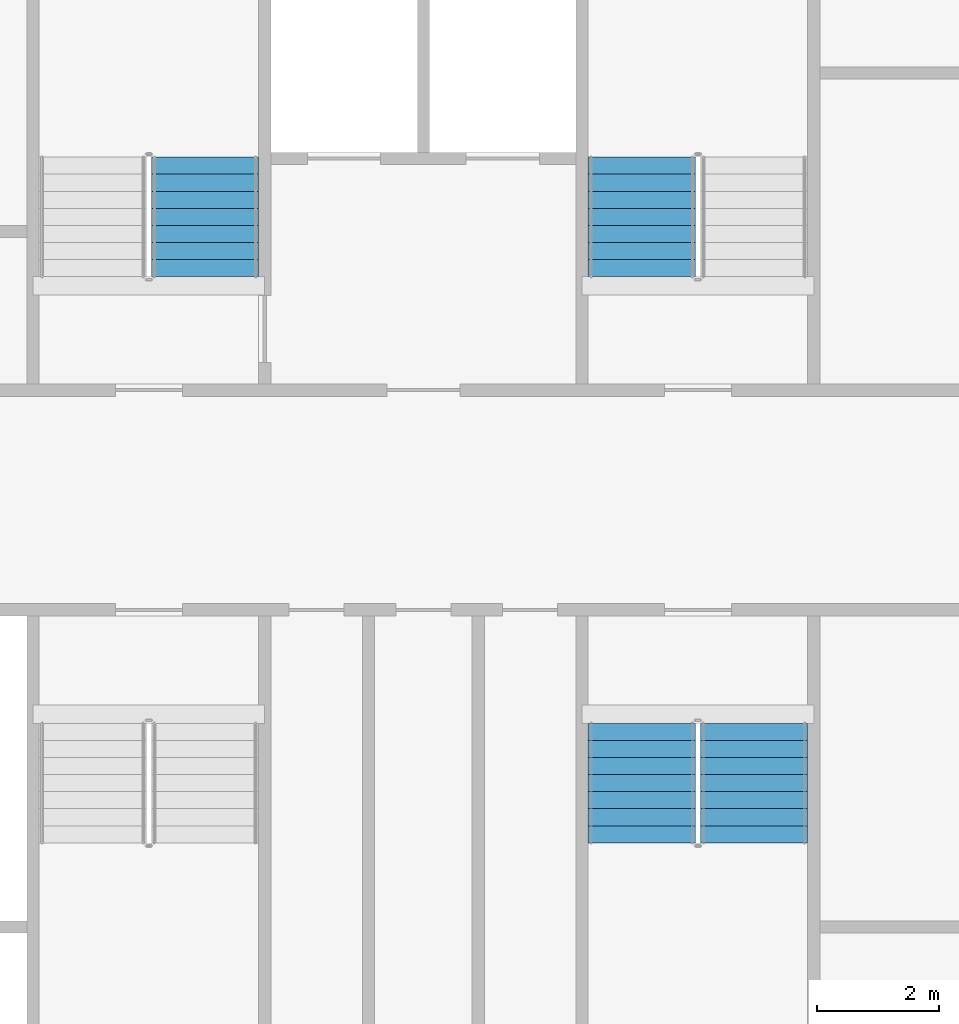
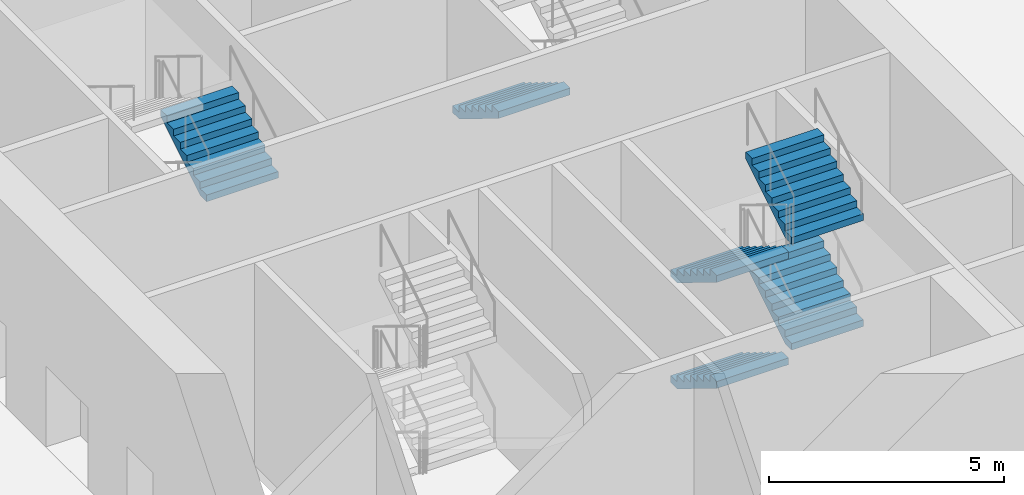
# One storey, part 15 of 23: 6 stair flights, 3 elements without a shape of their own.
"""IFC4 building model written with IfcOpenShell, lengths in metres."""

from ifc_helpers import new_model, si_unit, direction, frame, origin, place, context, subcontext, project, spatial, faceted_brep, material, type_object, element, aggregate, save


model = new_model("IFC4")

# Units and contexts
model_context = context("Model", 3, precision=1e-05, world=origin(), true_north=direction((0.0, 1.0)))
body_context = subcontext(model_context, "Body", "Model", "MODEL_VIEW")
ifc_project = project(units=[si_unit("LENGTHUNIT", "METRE"), si_unit("AREAUNIT", "SQUARE_METRE"), si_unit("VOLUMEUNIT", "CUBIC_METRE"), si_unit("PLANEANGLEUNIT", "RADIAN"), si_unit("MASSUNIT", "GRAM", prefix="KILO")], contexts=[model_context])

# Site, building, storey
site_placement = place(None, origin())
site = spatial("IfcSite", under=ifc_project, at=site_placement, CompositionType="ELEMENT")
building_placement = place(site_placement, origin())
building = spatial("IfcBuilding", under=site, at=building_placement, Name="Tarsis Ring Headquarters", CompositionType="ELEMENT")
storey_placement = place(building_placement, frame((0.0, 0.0, 14.0)))
storey = spatial("IfcBuildingStorey", under=building, at=storey_placement, Name="L02", CompositionType="ELEMENT", Elevation=14.0)

# Stair, stair flight
ifc_material_1 = material(Name="Core stair 1760")
stair_type = type_object("IfcStairType", Name="Core stair 1760", PredefinedType="HALF_TURN_STAIR", material=ifc_material_1)
stair_1_placement = place(storey_placement, origin())
stair_1 = element("IfcStair", 1, at=stair_1_placement, inside=storey, type_object=stair_type, Name="L02 Firefighting stair", PredefinedType="HALF_TURN_STAIR")
ifc_material_2 = material(Name="Concrete C40/50", Category="concrete")
stair_flight_type = type_object("IfcStairFlightType", Name="Core stair flight 1760", PredefinedType="STRAIGHT", material=ifc_material_2)
stair_flight_1_placement = place(storey_placement, frame((-3.580078125, 3.659912109375, 2.75), z_axis=(0.0, 0.0, 1.0), x_axis=(0.0, 1.0, 0.0)))
stair_flight_1 = element("IfcStairFlight", 2, at=stair_flight_1_placement, type_object=stair_flight_type, Name="Stair ST1 flight 3", NumberOfRisers=8, NumberOfTreads=7, PredefinedType="STRAIGHT", RiserHeight=0.171875, TreadLength=0.28, context=body_context, shape_type="Brep", body=[
    faceted_brep([(0.0, 0.8798828125, 0.0), (0.0, 0.8798828125, 0.171875), (0.280029296875, 0.8798828125, 0.171875), (0.280029296875, 0.8798828125, 0.34375), (0.56005859375, 0.8798828125, 0.34375), (0.56005859375, 0.8798828125, 0.515625), (0.840087890625, 0.8798828125, 0.515625), (0.840087890625, 0.8798828125, 0.6875), (1.1201171875, 0.8798828125, 0.6875), (1.1201171875, 0.8798828125, 0.859375), (1.39990234375, 0.8798828125, 0.859375), (1.39990234375, 0.8798828125, 1.03125), (1.679931640625, 0.8798828125, 1.03125), (1.679931640625, 0.8798828125, 1.203125), (1.9599609375, 0.8798828125, 1.203125), (1.9599609375, 0.8798828125, 1.02734375), (0.28662109375, 0.8798828125, 0.0), (0.28662109375, -0.8798828125, 0.0), (1.9599609375, -0.8798828125, 1.02734375), (1.9599609375, -0.8798828125, 1.203125), (1.679931640625, -0.8798828125, 1.203125), (1.679931640625, -0.8798828125, 1.03125), (1.39990234375, -0.8798828125, 1.03125), (1.39990234375, -0.8798828125, 0.859375), (1.1201171875, -0.8798828125, 0.859375), (1.1201171875, -0.8798828125, 0.6875), (0.840087890625, -0.8798828125, 0.6875), (0.840087890625, -0.8798828125, 0.515625), (0.56005859375, -0.8798828125, 0.515625), (0.56005859375, -0.8798828125, 0.34375), (0.280029296875, -0.8798828125, 0.34375), (0.280029296875, -0.8798828125, 0.171875), (0.0, -0.8798828125, 0.171875), (0.0, -0.8798828125, 0.0), (0.0, -0.43994140625, 0.171875), (0.0, -0.43994140625, 0.0), (0.0, 0.0, 0.171875), (0.0, 0.0, 0.0), (0.0, 0.43994140625, 0.171875), (0.0, 0.43994140625, 0.0), (0.280029296875, -0.43994140625, 0.171875), (0.280029296875, 0.0, 0.171875), (0.280029296875, 0.43994140625, 0.171875), (0.280029296875, -0.43994140625, 0.34375), (0.280029296875, 0.0, 0.34375), (0.280029296875, 0.43994140625, 0.34375), (0.56005859375, -0.43994140625, 0.34375), (0.56005859375, 0.0, 0.34375), (0.56005859375, 0.43994140625, 0.34375), (0.56005859375, -0.43994140625, 0.515625), (0.56005859375, 0.0, 0.515625), (0.56005859375, 0.43994140625, 0.515625), (0.840087890625, -0.43994140625, 0.515625), (0.840087890625, 0.0, 0.515625), (0.840087890625, 0.43994140625, 0.515625), (0.840087890625, -0.43994140625, 0.6875), (0.840087890625, 0.0, 0.6875), (0.840087890625, 0.43994140625, 0.6875), (1.1201171875, -0.43994140625, 0.6875), (1.1201171875, 0.0, 0.6875), (1.1201171875, 0.43994140625, 0.6875), (1.1201171875, -0.43994140625, 0.859375), (1.1201171875, 0.0, 0.859375), (1.1201171875, 0.43994140625, 0.859375), (1.39990234375, -0.43994140625, 0.859375), (1.39990234375, 0.0, 0.859375), (1.39990234375, 0.43994140625, 0.859375), (1.39990234375, -0.43994140625, 1.03125), (1.39990234375, 0.0, 1.03125), (1.39990234375, 0.43994140625, 1.03125), (1.679931640625, -0.43994140625, 1.03125), (1.679931640625, 0.0, 1.03125), (1.679931640625, 0.43994140625, 1.03125), (1.679931640625, -0.43994140625, 1.203125), (1.679931640625, 0.0, 1.203125), (1.679931640625, 0.43994140625, 1.203125), (1.9599609375, -0.43994140625, 1.203125), (1.9599609375, 0.0, 1.203125), (1.9599609375, 0.43994140625, 1.203125), (1.9599609375, -0.43994140625, 1.02734375), (1.9599609375, 0.0, 1.02734375), (1.9599609375, 0.43994140625, 1.02734375), (0.28662109375, -0.43994140625, 0.0), (0.28662109375, 0.0, 0.0), (0.28662109375, 0.43994140625, 0.0)], [[[0, 1, 2, 3, 4, 5, 6, 7, 8, 9, 10, 11, 12, 13, 14, 15, 16]], [[17, 18, 19, 20, 21, 22, 23, 24, 25, 26, 27, 28, 29, 30, 31, 32, 33]], [[33, 32, 34, 35]], [[35, 34, 36, 37]], [[37, 36, 38, 39]], [[39, 38, 1, 0]], [[32, 31, 40, 34]], [[34, 40, 41, 36]], [[36, 41, 42, 38]], [[38, 42, 2, 1]], [[31, 30, 43, 40]], [[40, 43, 44, 41]], [[41, 44, 45, 42]], [[42, 45, 3, 2]], [[30, 29, 46, 43]], [[43, 46, 47, 44]], [[44, 47, 48, 45]], [[45, 48, 4, 3]], [[29, 28, 49, 46]], [[46, 49, 50, 47]], [[47, 50, 51, 48]], [[48, 51, 5, 4]], [[28, 27, 52, 49]], [[49, 52, 53, 50]], [[50, 53, 54, 51]], [[51, 54, 6, 5]], [[27, 26, 55, 52]], [[52, 55, 56, 53]], [[53, 56, 57, 54]], [[54, 57, 7, 6]], [[26, 25, 58, 55]], [[55, 58, 59, 56]], [[56, 59, 60, 57]], [[57, 60, 8, 7]], [[25, 24, 61, 58]], [[58, 61, 62, 59]], [[59, 62, 63, 60]], [[60, 63, 9, 8]], [[24, 23, 64, 61]], [[61, 64, 65, 62]], [[62, 65, 66, 63]], [[63, 66, 10, 9]], [[23, 22, 67, 64]], [[64, 67, 68, 65]], [[65, 68, 69, 66]], [[66, 69, 11, 10]], [[22, 21, 70, 67]], [[67, 70, 71, 68]], [[68, 71, 72, 69]], [[69, 72, 12, 11]], [[21, 20, 73, 70]], [[70, 73, 74, 71]], [[71, 74, 75, 72]], [[72, 75, 13, 12]], [[20, 19, 76, 73]], [[73, 76, 77, 74]], [[74, 77, 78, 75]], [[75, 78, 14, 13]], [[19, 18, 79, 76]], [[76, 79, 80, 77]], [[77, 80, 81, 78]], [[78, 81, 15, 14]], [[18, 17, 82, 79]], [[79, 82, 83, 80]], [[80, 83, 84, 81]], [[81, 84, 16, 15]], [[17, 33, 35, 82]], [[82, 35, 37, 83]], [[83, 37, 39, 84]], [[84, 39, 0, 16]]]),
])
aggregate(stair_1, [stair_flight_1])

stair_2_placement = place(storey_placement, origin())
stair_2 = element("IfcStair", 3, at=stair_2_placement, inside=storey, type_object=stair_type, Name="L02 Exit stair B", PredefinedType="HALF_TURN_STAIR")
stair_flight_2_placement = place(storey_placement, frame((3.580078125, 5.6201171875, 1.375), z_axis=(0.0, 0.0, 1.0), x_axis=(0.0, -1.0, 0.0)))
stair_flight_2 = element("IfcStairFlight", 4, at=stair_flight_2_placement, type_object=stair_flight_type, Name="Stair ST2 flight 2", NumberOfRisers=8, NumberOfTreads=7, PredefinedType="STRAIGHT", RiserHeight=0.171875, TreadLength=0.28, context=body_context, shape_type="Brep", body=[
    faceted_brep([(0.0, 0.8798828125, 0.0), (0.0, 0.8798828125, 0.171875), (0.280029296875, 0.8798828125, 0.171875), (0.280029296875, 0.8798828125, 0.34375), (0.56005859375, 0.8798828125, 0.34375), (0.56005859375, 0.8798828125, 0.515625), (0.840087890625, 0.8798828125, 0.515625), (0.840087890625, 0.8798828125, 0.6875), (1.1201171875, 0.8798828125, 0.6875), (1.1201171875, 0.8798828125, 0.859375), (1.39990234375, 0.8798828125, 0.859375), (1.39990234375, 0.8798828125, 1.03125), (1.679931640625, 0.8798828125, 1.03125), (1.679931640625, 0.8798828125, 1.203125), (1.9599609375, 0.8798828125, 1.203125), (1.9599609375, 0.8798828125, 1.02734375), (0.28662109375, 0.8798828125, 0.0), (0.28662109375, -0.8798828125, 0.0), (1.9599609375, -0.8798828125, 1.02734375), (1.9599609375, -0.8798828125, 1.203125), (1.679931640625, -0.8798828125, 1.203125), (1.679931640625, -0.8798828125, 1.03125), (1.39990234375, -0.8798828125, 1.03125), (1.39990234375, -0.8798828125, 0.859375), (1.1201171875, -0.8798828125, 0.859375), (1.1201171875, -0.8798828125, 0.6875), (0.840087890625, -0.8798828125, 0.6875), (0.840087890625, -0.8798828125, 0.515625), (0.56005859375, -0.8798828125, 0.515625), (0.56005859375, -0.8798828125, 0.34375), (0.280029296875, -0.8798828125, 0.34375), (0.280029296875, -0.8798828125, 0.171875), (0.0, -0.8798828125, 0.171875), (0.0, -0.8798828125, 0.0), (0.0, -0.43994140625, 0.171875), (0.0, -0.43994140625, 0.0), (0.0, 0.0, 0.171875), (0.0, 0.0, 0.0), (0.0, 0.43994140625, 0.171875), (0.0, 0.43994140625, 0.0), (0.280029296875, -0.43994140625, 0.171875), (0.280029296875, 0.0, 0.171875), (0.280029296875, 0.43994140625, 0.171875), (0.280029296875, -0.43994140625, 0.34375), (0.280029296875, 0.0, 0.34375), (0.280029296875, 0.43994140625, 0.34375), (0.56005859375, -0.43994140625, 0.34375), (0.56005859375, 0.0, 0.34375), (0.56005859375, 0.43994140625, 0.34375), (0.56005859375, -0.43994140625, 0.515625), (0.56005859375, 0.0, 0.515625), (0.56005859375, 0.43994140625, 0.515625), (0.840087890625, -0.43994140625, 0.515625), (0.840087890625, 0.0, 0.515625), (0.840087890625, 0.43994140625, 0.515625), (0.840087890625, -0.43994140625, 0.6875), (0.840087890625, 0.0, 0.6875), (0.840087890625, 0.43994140625, 0.6875), (1.1201171875, -0.43994140625, 0.6875), (1.1201171875, 0.0, 0.6875), (1.1201171875, 0.43994140625, 0.6875), (1.1201171875, -0.43994140625, 0.859375), (1.1201171875, 0.0, 0.859375), (1.1201171875, 0.43994140625, 0.859375), (1.39990234375, -0.43994140625, 0.859375), (1.39990234375, 0.0, 0.859375), (1.39990234375, 0.43994140625, 0.859375), (1.39990234375, -0.43994140625, 1.03125), (1.39990234375, 0.0, 1.03125), (1.39990234375, 0.43994140625, 1.03125), (1.679931640625, -0.43994140625, 1.03125), (1.679931640625, 0.0, 1.03125), (1.679931640625, 0.43994140625, 1.03125), (1.679931640625, -0.43994140625, 1.203125), (1.679931640625, 0.0, 1.203125), (1.679931640625, 0.43994140625, 1.203125), (1.9599609375, -0.43994140625, 1.203125), (1.9599609375, 0.0, 1.203125), (1.9599609375, 0.43994140625, 1.203125), (1.9599609375, -0.43994140625, 1.02734375), (1.9599609375, 0.0, 1.02734375), (1.9599609375, 0.43994140625, 1.02734375), (0.28662109375, -0.43994140625, 0.0), (0.28662109375, 0.0, 0.0), (0.28662109375, 0.43994140625, 0.0)], [[[0, 1, 2, 3, 4, 5, 6, 7, 8, 9, 10, 11, 12, 13, 14, 15, 16]], [[17, 18, 19, 20, 21, 22, 23, 24, 25, 26, 27, 28, 29, 30, 31, 32, 33]], [[33, 32, 34, 35]], [[35, 34, 36, 37]], [[37, 36, 38, 39]], [[39, 38, 1, 0]], [[32, 31, 40, 34]], [[34, 40, 41, 36]], [[36, 41, 42, 38]], [[38, 42, 2, 1]], [[31, 30, 43, 40]], [[40, 43, 44, 41]], [[41, 44, 45, 42]], [[42, 45, 3, 2]], [[30, 29, 46, 43]], [[43, 46, 47, 44]], [[44, 47, 48, 45]], [[45, 48, 4, 3]], [[29, 28, 49, 46]], [[46, 49, 50, 47]], [[47, 50, 51, 48]], [[48, 51, 5, 4]], [[28, 27, 52, 49]], [[49, 52, 53, 50]], [[50, 53, 54, 51]], [[51, 54, 6, 5]], [[27, 26, 55, 52]], [[52, 55, 56, 53]], [[53, 56, 57, 54]], [[54, 57, 7, 6]], [[26, 25, 58, 55]], [[55, 58, 59, 56]], [[56, 59, 60, 57]], [[57, 60, 8, 7]], [[25, 24, 61, 58]], [[58, 61, 62, 59]], [[59, 62, 63, 60]], [[60, 63, 9, 8]], [[24, 23, 64, 61]], [[61, 64, 65, 62]], [[62, 65, 66, 63]], [[63, 66, 10, 9]], [[23, 22, 67, 64]], [[64, 67, 68, 65]], [[65, 68, 69, 66]], [[66, 69, 11, 10]], [[22, 21, 70, 67]], [[67, 70, 71, 68]], [[68, 71, 72, 69]], [[69, 72, 12, 11]], [[21, 20, 73, 70]], [[70, 73, 74, 71]], [[71, 74, 75, 72]], [[72, 75, 13, 12]], [[20, 19, 76, 73]], [[73, 76, 77, 74]], [[74, 77, 78, 75]], [[75, 78, 14, 13]], [[19, 18, 79, 76]], [[76, 79, 80, 77]], [[77, 80, 81, 78]], [[78, 81, 15, 14]], [[18, 17, 82, 79]], [[79, 82, 83, 80]], [[80, 83, 84, 81]], [[81, 84, 16, 15]], [[17, 33, 35, 82]], [[82, 35, 37, 83]], [[83, 37, 39, 84]], [[84, 39, 0, 16]]]),
])
aggregate(stair_2, [stair_flight_2])

# Stair, stair flights
stair_3_placement = place(storey_placement, origin())
stair_3 = element("IfcStair", 5, at=stair_3_placement, inside=storey, type_object=stair_type, Name="L02 Exit stair D", PredefinedType="HALF_TURN_STAIR")
stair_flight_3_placement = place(storey_placement, frame((3.580078125, -3.659912109375, 0.0), z_axis=(0.0, 0.0, 1.0), x_axis=(0.0, -1.0, 0.0)))
stair_flight_3 = element("IfcStairFlight", 6, at=stair_flight_3_placement, type_object=stair_flight_type, Name="Stair ST4 flight 1", NumberOfRisers=8, NumberOfTreads=7, PredefinedType="STRAIGHT", RiserHeight=0.171875, TreadLength=0.28, context=body_context, shape_type="Brep", body=[
    faceted_brep([(0.0, 0.8798828125, 0.0), (0.0, 0.8798828125, 0.171875), (0.280029296875, 0.8798828125, 0.171875), (0.280029296875, 0.8798828125, 0.34375), (0.56005859375, 0.8798828125, 0.34375), (0.56005859375, 0.8798828125, 0.515625), (0.840087890625, 0.8798828125, 0.515625), (0.840087890625, 0.8798828125, 0.6875), (1.1201171875, 0.8798828125, 0.6875), (1.1201171875, 0.8798828125, 0.859375), (1.39990234375, 0.8798828125, 0.859375), (1.39990234375, 0.8798828125, 1.03125), (1.679931640625, 0.8798828125, 1.03125), (1.679931640625, 0.8798828125, 1.203125), (1.9599609375, 0.8798828125, 1.203125), (1.9599609375, 0.8798828125, 1.02734375), (0.28662109375, 0.8798828125, 0.0), (0.28662109375, -0.8798828125, 0.0), (1.9599609375, -0.8798828125, 1.02734375), (1.9599609375, -0.8798828125, 1.203125), (1.679931640625, -0.8798828125, 1.203125), (1.679931640625, -0.8798828125, 1.03125), (1.39990234375, -0.8798828125, 1.03125), (1.39990234375, -0.8798828125, 0.859375), (1.1201171875, -0.8798828125, 0.859375), (1.1201171875, -0.8798828125, 0.6875), (0.840087890625, -0.8798828125, 0.6875), (0.840087890625, -0.8798828125, 0.515625), (0.56005859375, -0.8798828125, 0.515625), (0.56005859375, -0.8798828125, 0.34375), (0.280029296875, -0.8798828125, 0.34375), (0.280029296875, -0.8798828125, 0.171875), (0.0, -0.8798828125, 0.171875), (0.0, -0.8798828125, 0.0), (0.0, -0.43994140625, 0.171875), (0.0, -0.43994140625, 0.0), (0.0, 0.0, 0.171875), (0.0, 0.0, 0.0), (0.0, 0.43994140625, 0.171875), (0.0, 0.43994140625, 0.0), (0.280029296875, -0.43994140625, 0.171875), (0.280029296875, 0.0, 0.171875), (0.280029296875, 0.43994140625, 0.171875), (0.280029296875, -0.43994140625, 0.34375), (0.280029296875, 0.0, 0.34375), (0.280029296875, 0.43994140625, 0.34375), (0.56005859375, -0.43994140625, 0.34375), (0.56005859375, 0.0, 0.34375), (0.56005859375, 0.43994140625, 0.34375), (0.56005859375, -0.43994140625, 0.515625), (0.56005859375, 0.0, 0.515625), (0.56005859375, 0.43994140625, 0.515625), (0.840087890625, -0.43994140625, 0.515625), (0.840087890625, 0.0, 0.515625), (0.840087890625, 0.43994140625, 0.515625), (0.840087890625, -0.43994140625, 0.6875), (0.840087890625, 0.0, 0.6875), (0.840087890625, 0.43994140625, 0.6875), (1.1201171875, -0.43994140625, 0.6875), (1.1201171875, 0.0, 0.6875), (1.1201171875, 0.43994140625, 0.6875), (1.1201171875, -0.43994140625, 0.859375), (1.1201171875, 0.0, 0.859375), (1.1201171875, 0.43994140625, 0.859375), (1.39990234375, -0.43994140625, 0.859375), (1.39990234375, 0.0, 0.859375), (1.39990234375, 0.43994140625, 0.859375), (1.39990234375, -0.43994140625, 1.03125), (1.39990234375, 0.0, 1.03125), (1.39990234375, 0.43994140625, 1.03125), (1.679931640625, -0.43994140625, 1.03125), (1.679931640625, 0.0, 1.03125), (1.679931640625, 0.43994140625, 1.03125), (1.679931640625, -0.43994140625, 1.203125), (1.679931640625, 0.0, 1.203125), (1.679931640625, 0.43994140625, 1.203125), (1.9599609375, -0.43994140625, 1.203125), (1.9599609375, 0.0, 1.203125), (1.9599609375, 0.43994140625, 1.203125), (1.9599609375, -0.43994140625, 1.02734375), (1.9599609375, 0.0, 1.02734375), (1.9599609375, 0.43994140625, 1.02734375), (0.28662109375, -0.43994140625, 0.0), (0.28662109375, 0.0, 0.0), (0.28662109375, 0.43994140625, 0.0)], [[[0, 1, 2, 3, 4, 5, 6, 7, 8, 9, 10, 11, 12, 13, 14, 15, 16]], [[17, 18, 19, 20, 21, 22, 23, 24, 25, 26, 27, 28, 29, 30, 31, 32, 33]], [[33, 32, 34, 35]], [[35, 34, 36, 37]], [[37, 36, 38, 39]], [[39, 38, 1, 0]], [[32, 31, 40, 34]], [[34, 40, 41, 36]], [[36, 41, 42, 38]], [[38, 42, 2, 1]], [[31, 30, 43, 40]], [[40, 43, 44, 41]], [[41, 44, 45, 42]], [[42, 45, 3, 2]], [[30, 29, 46, 43]], [[43, 46, 47, 44]], [[44, 47, 48, 45]], [[45, 48, 4, 3]], [[29, 28, 49, 46]], [[46, 49, 50, 47]], [[47, 50, 51, 48]], [[48, 51, 5, 4]], [[28, 27, 52, 49]], [[49, 52, 53, 50]], [[50, 53, 54, 51]], [[51, 54, 6, 5]], [[27, 26, 55, 52]], [[52, 55, 56, 53]], [[53, 56, 57, 54]], [[54, 57, 7, 6]], [[26, 25, 58, 55]], [[55, 58, 59, 56]], [[56, 59, 60, 57]], [[57, 60, 8, 7]], [[25, 24, 61, 58]], [[58, 61, 62, 59]], [[59, 62, 63, 60]], [[60, 63, 9, 8]], [[24, 23, 64, 61]], [[61, 64, 65, 62]], [[62, 65, 66, 63]], [[63, 66, 10, 9]], [[23, 22, 67, 64]], [[64, 67, 68, 65]], [[65, 68, 69, 66]], [[66, 69, 11, 10]], [[22, 21, 70, 67]], [[67, 70, 71, 68]], [[68, 71, 72, 69]], [[69, 72, 12, 11]], [[21, 20, 73, 70]], [[70, 73, 74, 71]], [[71, 74, 75, 72]], [[72, 75, 13, 12]], [[20, 19, 76, 73]], [[73, 76, 77, 74]], [[74, 77, 78, 75]], [[75, 78, 14, 13]], [[19, 18, 79, 76]], [[76, 79, 80, 77]], [[77, 80, 81, 78]], [[78, 81, 15, 14]], [[18, 17, 82, 79]], [[79, 82, 83, 80]], [[80, 83, 84, 81]], [[81, 84, 16, 15]], [[17, 33, 35, 82]], [[82, 35, 37, 83]], [[83, 37, 39, 84]], [[84, 39, 0, 16]]]),
])
stair_flight_4_placement = place(storey_placement, frame((5.419921875, -5.6201171875, 1.375), z_axis=(0.0, 0.0, 1.0), x_axis=(0.0, 1.0, 0.0)))
stair_flight_4 = element("IfcStairFlight", 7, at=stair_flight_4_placement, type_object=stair_flight_type, Name="Stair ST4 flight 2", NumberOfRisers=8, NumberOfTreads=7, PredefinedType="STRAIGHT", RiserHeight=0.171875, TreadLength=0.28, context=body_context, shape_type="Brep", body=[
    faceted_brep([(0.0, 0.8798828125, 0.0), (0.0, 0.8798828125, 0.171875), (0.280029296875, 0.8798828125, 0.171875), (0.280029296875, 0.8798828125, 0.34375), (0.56005859375, 0.8798828125, 0.34375), (0.56005859375, 0.8798828125, 0.515625), (0.840087890625, 0.8798828125, 0.515625), (0.840087890625, 0.8798828125, 0.6875), (1.1201171875, 0.8798828125, 0.6875), (1.1201171875, 0.8798828125, 0.859375), (1.39990234375, 0.8798828125, 0.859375), (1.39990234375, 0.8798828125, 1.03125), (1.679931640625, 0.8798828125, 1.03125), (1.679931640625, 0.8798828125, 1.203125), (1.9599609375, 0.8798828125, 1.203125), (1.9599609375, 0.8798828125, 1.02734375), (0.28662109375, 0.8798828125, 0.0), (0.28662109375, -0.8798828125, 0.0), (1.9599609375, -0.8798828125, 1.02734375), (1.9599609375, -0.8798828125, 1.203125), (1.679931640625, -0.8798828125, 1.203125), (1.679931640625, -0.8798828125, 1.03125), (1.39990234375, -0.8798828125, 1.03125), (1.39990234375, -0.8798828125, 0.859375), (1.1201171875, -0.8798828125, 0.859375), (1.1201171875, -0.8798828125, 0.6875), (0.840087890625, -0.8798828125, 0.6875), (0.840087890625, -0.8798828125, 0.515625), (0.56005859375, -0.8798828125, 0.515625), (0.56005859375, -0.8798828125, 0.34375), (0.280029296875, -0.8798828125, 0.34375), (0.280029296875, -0.8798828125, 0.171875), (0.0, -0.8798828125, 0.171875), (0.0, -0.8798828125, 0.0), (0.0, -0.43994140625, 0.171875), (0.0, -0.43994140625, 0.0), (0.0, 0.0, 0.171875), (0.0, 0.0, 0.0), (0.0, 0.43994140625, 0.171875), (0.0, 0.43994140625, 0.0), (0.280029296875, -0.43994140625, 0.171875), (0.280029296875, 0.0, 0.171875), (0.280029296875, 0.43994140625, 0.171875), (0.280029296875, -0.43994140625, 0.34375), (0.280029296875, 0.0, 0.34375), (0.280029296875, 0.43994140625, 0.34375), (0.56005859375, -0.43994140625, 0.34375), (0.56005859375, 0.0, 0.34375), (0.56005859375, 0.43994140625, 0.34375), (0.56005859375, -0.43994140625, 0.515625), (0.56005859375, 0.0, 0.515625), (0.56005859375, 0.43994140625, 0.515625), (0.840087890625, -0.43994140625, 0.515625), (0.840087890625, 0.0, 0.515625), (0.840087890625, 0.43994140625, 0.515625), (0.840087890625, -0.43994140625, 0.6875), (0.840087890625, 0.0, 0.6875), (0.840087890625, 0.43994140625, 0.6875), (1.1201171875, -0.43994140625, 0.6875), (1.1201171875, 0.0, 0.6875), (1.1201171875, 0.43994140625, 0.6875), (1.1201171875, -0.43994140625, 0.859375), (1.1201171875, 0.0, 0.859375), (1.1201171875, 0.43994140625, 0.859375), (1.39990234375, -0.43994140625, 0.859375), (1.39990234375, 0.0, 0.859375), (1.39990234375, 0.43994140625, 0.859375), (1.39990234375, -0.43994140625, 1.03125), (1.39990234375, 0.0, 1.03125), (1.39990234375, 0.43994140625, 1.03125), (1.679931640625, -0.43994140625, 1.03125), (1.679931640625, 0.0, 1.03125), (1.679931640625, 0.43994140625, 1.03125), (1.679931640625, -0.43994140625, 1.203125), (1.679931640625, 0.0, 1.203125), (1.679931640625, 0.43994140625, 1.203125), (1.9599609375, -0.43994140625, 1.203125), (1.9599609375, 0.0, 1.203125), (1.9599609375, 0.43994140625, 1.203125), (1.9599609375, -0.43994140625, 1.02734375), (1.9599609375, 0.0, 1.02734375), (1.9599609375, 0.43994140625, 1.02734375), (0.28662109375, -0.43994140625, 0.0), (0.28662109375, 0.0, 0.0), (0.28662109375, 0.43994140625, 0.0)], [[[0, 1, 2, 3, 4, 5, 6, 7, 8, 9, 10, 11, 12, 13, 14, 15, 16]], [[17, 18, 19, 20, 21, 22, 23, 24, 25, 26, 27, 28, 29, 30, 31, 32, 33]], [[33, 32, 34, 35]], [[35, 34, 36, 37]], [[37, 36, 38, 39]], [[39, 38, 1, 0]], [[32, 31, 40, 34]], [[34, 40, 41, 36]], [[36, 41, 42, 38]], [[38, 42, 2, 1]], [[31, 30, 43, 40]], [[40, 43, 44, 41]], [[41, 44, 45, 42]], [[42, 45, 3, 2]], [[30, 29, 46, 43]], [[43, 46, 47, 44]], [[44, 47, 48, 45]], [[45, 48, 4, 3]], [[29, 28, 49, 46]], [[46, 49, 50, 47]], [[47, 50, 51, 48]], [[48, 51, 5, 4]], [[28, 27, 52, 49]], [[49, 52, 53, 50]], [[50, 53, 54, 51]], [[51, 54, 6, 5]], [[27, 26, 55, 52]], [[52, 55, 56, 53]], [[53, 56, 57, 54]], [[54, 57, 7, 6]], [[26, 25, 58, 55]], [[55, 58, 59, 56]], [[56, 59, 60, 57]], [[57, 60, 8, 7]], [[25, 24, 61, 58]], [[58, 61, 62, 59]], [[59, 62, 63, 60]], [[60, 63, 9, 8]], [[24, 23, 64, 61]], [[61, 64, 65, 62]], [[62, 65, 66, 63]], [[63, 66, 10, 9]], [[23, 22, 67, 64]], [[64, 67, 68, 65]], [[65, 68, 69, 66]], [[66, 69, 11, 10]], [[22, 21, 70, 67]], [[67, 70, 71, 68]], [[68, 71, 72, 69]], [[69, 72, 12, 11]], [[21, 20, 73, 70]], [[70, 73, 74, 71]], [[71, 74, 75, 72]], [[72, 75, 13, 12]], [[20, 19, 76, 73]], [[73, 76, 77, 74]], [[74, 77, 78, 75]], [[75, 78, 14, 13]], [[19, 18, 79, 76]], [[76, 79, 80, 77]], [[77, 80, 81, 78]], [[78, 81, 15, 14]], [[18, 17, 82, 79]], [[79, 82, 83, 80]], [[80, 83, 84, 81]], [[81, 84, 16, 15]], [[17, 33, 35, 82]], [[82, 35, 37, 83]], [[83, 37, 39, 84]], [[84, 39, 0, 16]]]),
])
stair_flight_5_placement = place(storey_placement, frame((3.580078125, -3.659912109375, 2.75), z_axis=(0.0, 0.0, 1.0), x_axis=(0.0, -1.0, 0.0)))
stair_flight_5 = element("IfcStairFlight", 8, at=stair_flight_5_placement, type_object=stair_flight_type, Name="Stair ST4 flight 3", NumberOfRisers=8, NumberOfTreads=7, PredefinedType="STRAIGHT", RiserHeight=0.171875, TreadLength=0.28, context=body_context, shape_type="Brep", body=[
    faceted_brep([(0.0, 0.8798828125, 0.0), (0.0, 0.8798828125, 0.171875), (0.280029296875, 0.8798828125, 0.171875), (0.280029296875, 0.8798828125, 0.34375), (0.56005859375, 0.8798828125, 0.34375), (0.56005859375, 0.8798828125, 0.515625), (0.840087890625, 0.8798828125, 0.515625), (0.840087890625, 0.8798828125, 0.6875), (1.1201171875, 0.8798828125, 0.6875), (1.1201171875, 0.8798828125, 0.859375), (1.39990234375, 0.8798828125, 0.859375), (1.39990234375, 0.8798828125, 1.03125), (1.679931640625, 0.8798828125, 1.03125), (1.679931640625, 0.8798828125, 1.203125), (1.9599609375, 0.8798828125, 1.203125), (1.9599609375, 0.8798828125, 1.02734375), (0.28662109375, 0.8798828125, 0.0), (0.28662109375, -0.8798828125, 0.0), (1.9599609375, -0.8798828125, 1.02734375), (1.9599609375, -0.8798828125, 1.203125), (1.679931640625, -0.8798828125, 1.203125), (1.679931640625, -0.8798828125, 1.03125), (1.39990234375, -0.8798828125, 1.03125), (1.39990234375, -0.8798828125, 0.859375), (1.1201171875, -0.8798828125, 0.859375), (1.1201171875, -0.8798828125, 0.6875), (0.840087890625, -0.8798828125, 0.6875), (0.840087890625, -0.8798828125, 0.515625), (0.56005859375, -0.8798828125, 0.515625), (0.56005859375, -0.8798828125, 0.34375), (0.280029296875, -0.8798828125, 0.34375), (0.280029296875, -0.8798828125, 0.171875), (0.0, -0.8798828125, 0.171875), (0.0, -0.8798828125, 0.0), (0.0, -0.43994140625, 0.171875), (0.0, -0.43994140625, 0.0), (0.0, 0.0, 0.171875), (0.0, 0.0, 0.0), (0.0, 0.43994140625, 0.171875), (0.0, 0.43994140625, 0.0), (0.280029296875, -0.43994140625, 0.171875), (0.280029296875, 0.0, 0.171875), (0.280029296875, 0.43994140625, 0.171875), (0.280029296875, -0.43994140625, 0.34375), (0.280029296875, 0.0, 0.34375), (0.280029296875, 0.43994140625, 0.34375), (0.56005859375, -0.43994140625, 0.34375), (0.56005859375, 0.0, 0.34375), (0.56005859375, 0.43994140625, 0.34375), (0.56005859375, -0.43994140625, 0.515625), (0.56005859375, 0.0, 0.515625), (0.56005859375, 0.43994140625, 0.515625), (0.840087890625, -0.43994140625, 0.515625), (0.840087890625, 0.0, 0.515625), (0.840087890625, 0.43994140625, 0.515625), (0.840087890625, -0.43994140625, 0.6875), (0.840087890625, 0.0, 0.6875), (0.840087890625, 0.43994140625, 0.6875), (1.1201171875, -0.43994140625, 0.6875), (1.1201171875, 0.0, 0.6875), (1.1201171875, 0.43994140625, 0.6875), (1.1201171875, -0.43994140625, 0.859375), (1.1201171875, 0.0, 0.859375), (1.1201171875, 0.43994140625, 0.859375), (1.39990234375, -0.43994140625, 0.859375), (1.39990234375, 0.0, 0.859375), (1.39990234375, 0.43994140625, 0.859375), (1.39990234375, -0.43994140625, 1.03125), (1.39990234375, 0.0, 1.03125), (1.39990234375, 0.43994140625, 1.03125), (1.679931640625, -0.43994140625, 1.03125), (1.679931640625, 0.0, 1.03125), (1.679931640625, 0.43994140625, 1.03125), (1.679931640625, -0.43994140625, 1.203125), (1.679931640625, 0.0, 1.203125), (1.679931640625, 0.43994140625, 1.203125), (1.9599609375, -0.43994140625, 1.203125), (1.9599609375, 0.0, 1.203125), (1.9599609375, 0.43994140625, 1.203125), (1.9599609375, -0.43994140625, 1.02734375), (1.9599609375, 0.0, 1.02734375), (1.9599609375, 0.43994140625, 1.02734375), (0.28662109375, -0.43994140625, 0.0), (0.28662109375, 0.0, 0.0), (0.28662109375, 0.43994140625, 0.0)], [[[0, 1, 2, 3, 4, 5, 6, 7, 8, 9, 10, 11, 12, 13, 14, 15, 16]], [[17, 18, 19, 20, 21, 22, 23, 24, 25, 26, 27, 28, 29, 30, 31, 32, 33]], [[33, 32, 34, 35]], [[35, 34, 36, 37]], [[37, 36, 38, 39]], [[39, 38, 1, 0]], [[32, 31, 40, 34]], [[34, 40, 41, 36]], [[36, 41, 42, 38]], [[38, 42, 2, 1]], [[31, 30, 43, 40]], [[40, 43, 44, 41]], [[41, 44, 45, 42]], [[42, 45, 3, 2]], [[30, 29, 46, 43]], [[43, 46, 47, 44]], [[44, 47, 48, 45]], [[45, 48, 4, 3]], [[29, 28, 49, 46]], [[46, 49, 50, 47]], [[47, 50, 51, 48]], [[48, 51, 5, 4]], [[28, 27, 52, 49]], [[49, 52, 53, 50]], [[50, 53, 54, 51]], [[51, 54, 6, 5]], [[27, 26, 55, 52]], [[52, 55, 56, 53]], [[53, 56, 57, 54]], [[54, 57, 7, 6]], [[26, 25, 58, 55]], [[55, 58, 59, 56]], [[56, 59, 60, 57]], [[57, 60, 8, 7]], [[25, 24, 61, 58]], [[58, 61, 62, 59]], [[59, 62, 63, 60]], [[60, 63, 9, 8]], [[24, 23, 64, 61]], [[61, 64, 65, 62]], [[62, 65, 66, 63]], [[63, 66, 10, 9]], [[23, 22, 67, 64]], [[64, 67, 68, 65]], [[65, 68, 69, 66]], [[66, 69, 11, 10]], [[22, 21, 70, 67]], [[67, 70, 71, 68]], [[68, 71, 72, 69]], [[69, 72, 12, 11]], [[21, 20, 73, 70]], [[70, 73, 74, 71]], [[71, 74, 75, 72]], [[72, 75, 13, 12]], [[20, 19, 76, 73]], [[73, 76, 77, 74]], [[74, 77, 78, 75]], [[75, 78, 14, 13]], [[19, 18, 79, 76]], [[76, 79, 80, 77]], [[77, 80, 81, 78]], [[78, 81, 15, 14]], [[18, 17, 82, 79]], [[79, 82, 83, 80]], [[80, 83, 84, 81]], [[81, 84, 16, 15]], [[17, 33, 35, 82]], [[82, 35, 37, 83]], [[83, 37, 39, 84]], [[84, 39, 0, 16]]]),
])
stair_flight_6_placement = place(storey_placement, frame((5.419921875, -5.6201171875, 4.125), z_axis=(0.0, 0.0, 1.0), x_axis=(0.0, 1.0, 0.0)))
stair_flight_6 = element("IfcStairFlight", 9, at=stair_flight_6_placement, type_object=stair_flight_type, Name="Stair ST4 flight 4", NumberOfRisers=8, NumberOfTreads=7, PredefinedType="STRAIGHT", RiserHeight=0.171875, TreadLength=0.28, context=body_context, shape_type="Brep", body=[
    faceted_brep([(0.0, 0.8798828125, 0.0), (0.0, 0.8798828125, 0.171875), (0.280029296875, 0.8798828125, 0.171875), (0.280029296875, 0.8798828125, 0.34375), (0.56005859375, 0.8798828125, 0.34375), (0.56005859375, 0.8798828125, 0.515625), (0.840087890625, 0.8798828125, 0.515625), (0.840087890625, 0.8798828125, 0.6875), (1.1201171875, 0.8798828125, 0.6875), (1.1201171875, 0.8798828125, 0.859375), (1.39990234375, 0.8798828125, 0.859375), (1.39990234375, 0.8798828125, 1.03125), (1.679931640625, 0.8798828125, 1.03125), (1.679931640625, 0.8798828125, 1.203125), (1.9599609375, 0.8798828125, 1.203125), (1.9599609375, 0.8798828125, 1.02734375), (0.28662109375, 0.8798828125, 0.0), (0.28662109375, -0.8798828125, 0.0), (1.9599609375, -0.8798828125, 1.02734375), (1.9599609375, -0.8798828125, 1.203125), (1.679931640625, -0.8798828125, 1.203125), (1.679931640625, -0.8798828125, 1.03125), (1.39990234375, -0.8798828125, 1.03125), (1.39990234375, -0.8798828125, 0.859375), (1.1201171875, -0.8798828125, 0.859375), (1.1201171875, -0.8798828125, 0.6875), (0.840087890625, -0.8798828125, 0.6875), (0.840087890625, -0.8798828125, 0.515625), (0.56005859375, -0.8798828125, 0.515625), (0.56005859375, -0.8798828125, 0.34375), (0.280029296875, -0.8798828125, 0.34375), (0.280029296875, -0.8798828125, 0.171875), (0.0, -0.8798828125, 0.171875), (0.0, -0.8798828125, 0.0), (0.0, -0.43994140625, 0.171875), (0.0, -0.43994140625, 0.0), (0.0, 0.0, 0.171875), (0.0, 0.0, 0.0), (0.0, 0.43994140625, 0.171875), (0.0, 0.43994140625, 0.0), (0.280029296875, -0.43994140625, 0.171875), (0.280029296875, 0.0, 0.171875), (0.280029296875, 0.43994140625, 0.171875), (0.280029296875, -0.43994140625, 0.34375), (0.280029296875, 0.0, 0.34375), (0.280029296875, 0.43994140625, 0.34375), (0.56005859375, -0.43994140625, 0.34375), (0.56005859375, 0.0, 0.34375), (0.56005859375, 0.43994140625, 0.34375), (0.56005859375, -0.43994140625, 0.515625), (0.56005859375, 0.0, 0.515625), (0.56005859375, 0.43994140625, 0.515625), (0.840087890625, -0.43994140625, 0.515625), (0.840087890625, 0.0, 0.515625), (0.840087890625, 0.43994140625, 0.515625), (0.840087890625, -0.43994140625, 0.6875), (0.840087890625, 0.0, 0.6875), (0.840087890625, 0.43994140625, 0.6875), (1.1201171875, -0.43994140625, 0.6875), (1.1201171875, 0.0, 0.6875), (1.1201171875, 0.43994140625, 0.6875), (1.1201171875, -0.43994140625, 0.859375), (1.1201171875, 0.0, 0.859375), (1.1201171875, 0.43994140625, 0.859375), (1.39990234375, -0.43994140625, 0.859375), (1.39990234375, 0.0, 0.859375), (1.39990234375, 0.43994140625, 0.859375), (1.39990234375, -0.43994140625, 1.03125), (1.39990234375, 0.0, 1.03125), (1.39990234375, 0.43994140625, 1.03125), (1.679931640625, -0.43994140625, 1.03125), (1.679931640625, 0.0, 1.03125), (1.679931640625, 0.43994140625, 1.03125), (1.679931640625, -0.43994140625, 1.203125), (1.679931640625, 0.0, 1.203125), (1.679931640625, 0.43994140625, 1.203125), (1.9599609375, -0.43994140625, 1.203125), (1.9599609375, 0.0, 1.203125), (1.9599609375, 0.43994140625, 1.203125), (1.9599609375, -0.43994140625, 1.02734375), (1.9599609375, 0.0, 1.02734375), (1.9599609375, 0.43994140625, 1.02734375), (0.28662109375, -0.43994140625, 0.0), (0.28662109375, 0.0, 0.0), (0.28662109375, 0.43994140625, 0.0)], [[[0, 1, 2, 3, 4, 5, 6, 7, 8, 9, 10, 11, 12, 13, 14, 15, 16]], [[17, 18, 19, 20, 21, 22, 23, 24, 25, 26, 27, 28, 29, 30, 31, 32, 33]], [[33, 32, 34, 35]], [[35, 34, 36, 37]], [[37, 36, 38, 39]], [[39, 38, 1, 0]], [[32, 31, 40, 34]], [[34, 40, 41, 36]], [[36, 41, 42, 38]], [[38, 42, 2, 1]], [[31, 30, 43, 40]], [[40, 43, 44, 41]], [[41, 44, 45, 42]], [[42, 45, 3, 2]], [[30, 29, 46, 43]], [[43, 46, 47, 44]], [[44, 47, 48, 45]], [[45, 48, 4, 3]], [[29, 28, 49, 46]], [[46, 49, 50, 47]], [[47, 50, 51, 48]], [[48, 51, 5, 4]], [[28, 27, 52, 49]], [[49, 52, 53, 50]], [[50, 53, 54, 51]], [[51, 54, 6, 5]], [[27, 26, 55, 52]], [[52, 55, 56, 53]], [[53, 56, 57, 54]], [[54, 57, 7, 6]], [[26, 25, 58, 55]], [[55, 58, 59, 56]], [[56, 59, 60, 57]], [[57, 60, 8, 7]], [[25, 24, 61, 58]], [[58, 61, 62, 59]], [[59, 62, 63, 60]], [[60, 63, 9, 8]], [[24, 23, 64, 61]], [[61, 64, 65, 62]], [[62, 65, 66, 63]], [[63, 66, 10, 9]], [[23, 22, 67, 64]], [[64, 67, 68, 65]], [[65, 68, 69, 66]], [[66, 69, 11, 10]], [[22, 21, 70, 67]], [[67, 70, 71, 68]], [[68, 71, 72, 69]], [[69, 72, 12, 11]], [[21, 20, 73, 70]], [[70, 73, 74, 71]], [[71, 74, 75, 72]], [[72, 75, 13, 12]], [[20, 19, 76, 73]], [[73, 76, 77, 74]], [[74, 77, 78, 75]], [[75, 78, 14, 13]], [[19, 18, 79, 76]], [[76, 79, 80, 77]], [[77, 80, 81, 78]], [[78, 81, 15, 14]], [[18, 17, 82, 79]], [[79, 82, 83, 80]], [[80, 83, 84, 81]], [[81, 84, 16, 15]], [[17, 33, 35, 82]], [[82, 35, 37, 83]], [[83, 37, 39, 84]], [[84, 39, 0, 16]]]),
])
aggregate(stair_3, [stair_flight_3, stair_flight_4, stair_flight_5, stair_flight_6])

save(model, "model.ifc")
